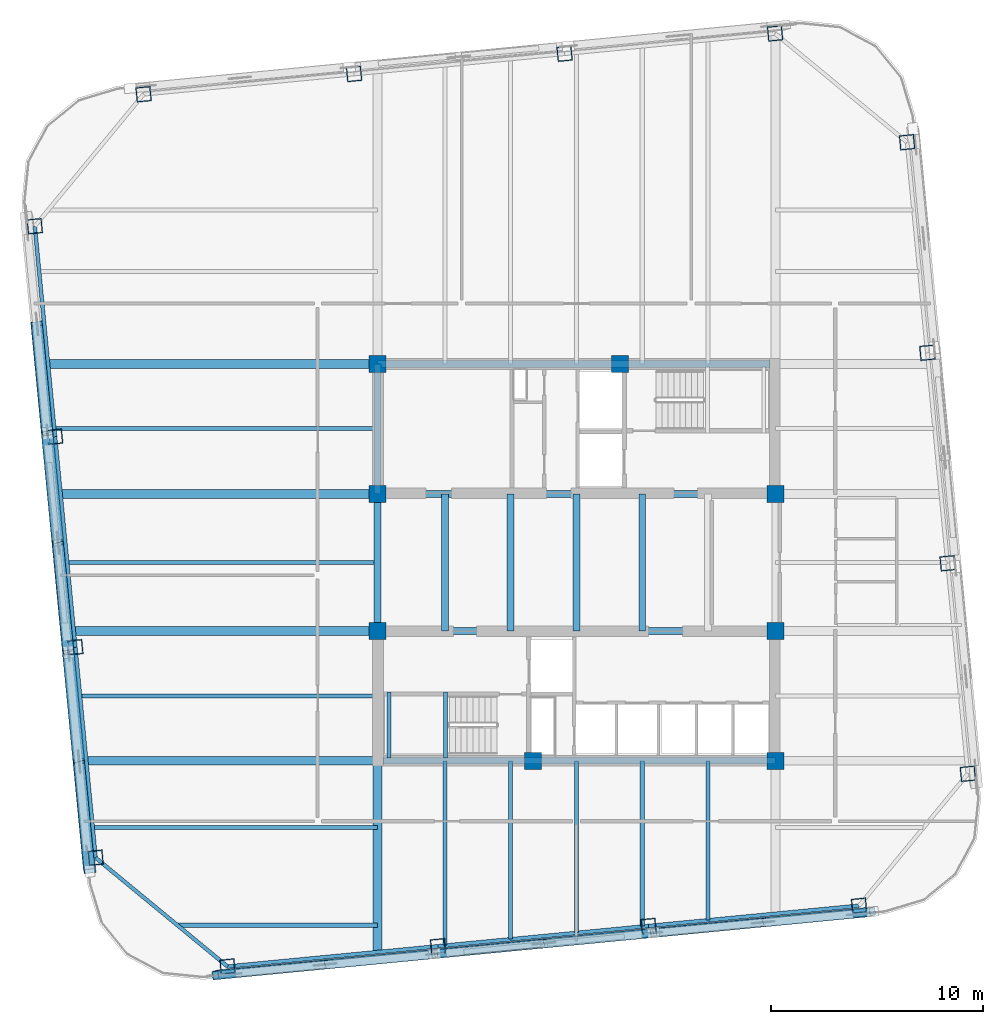
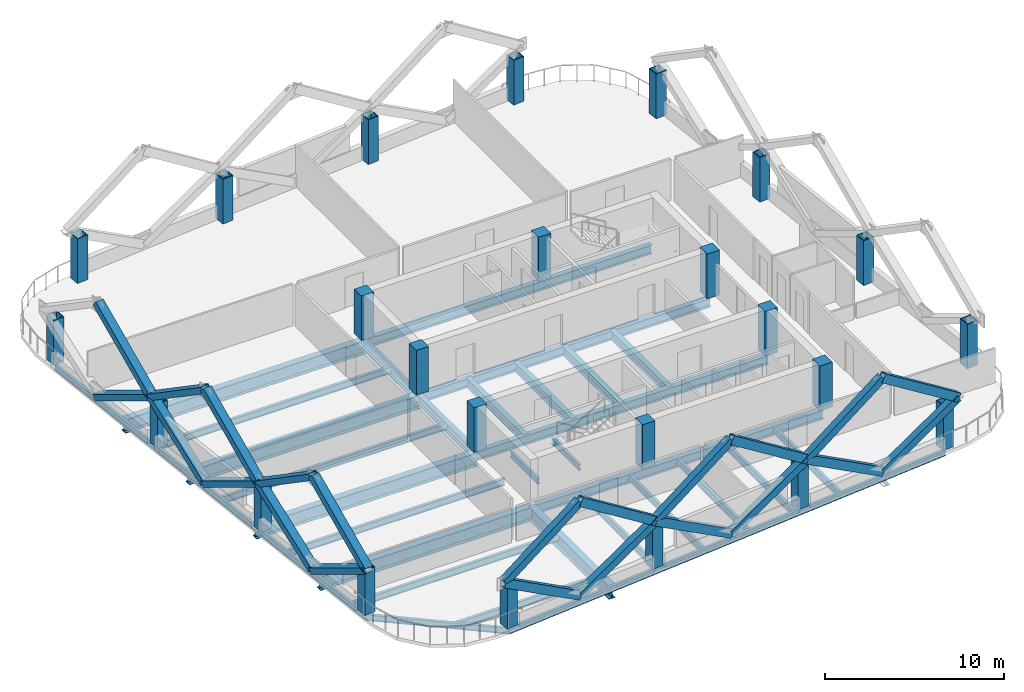
# One storey, part 1 of 9: 34 beams, 24 columns, 22 members.
"""IFC4 building model written with IfcOpenShell, lengths in metres."""

from ifc_helpers import new_model, si_unit, direction, frame, origin, origin_2d, place, context, subcontext, project, spatial, rectangle, hollow_rectangle, i_section, extrude, material, material_profile, profile_set, type_object, element, save


model = new_model("IFC4")

# Units and contexts
model_context = context("Model", 3, precision=1e-05, world=origin(), true_north=direction((0.0, 1.0)))
body_context = subcontext(model_context, "Body", "Model", "MODEL_VIEW")
ifc_project = project(units=[si_unit("LENGTHUNIT", "METRE"), si_unit("AREAUNIT", "SQUARE_METRE"), si_unit("VOLUMEUNIT", "CUBIC_METRE"), si_unit("PLANEANGLEUNIT", "RADIAN"), si_unit("MASSUNIT", "GRAM", prefix="KILO")], contexts=[model_context])

# Site, building, storey
site_placement = place(None, origin())
site = spatial("IfcSite", under=ifc_project, at=site_placement, CompositionType="ELEMENT")
building_placement = place(site_placement, origin())
building = spatial("IfcBuilding", under=site, at=building_placement, Name="Qhalaya Broadcast Tower", CompositionType="ELEMENT")
storey_placement = place(building_placement, frame((0.0, 0.0, 180.550048828125)))
storey = spatial("IfcBuildingStorey", under=building, at=storey_placement, Name="L53", CompositionType="ELEMENT", Elevation=180.550048828125)

# Columns
ifc_material_1 = material(Name="Concrete C50/60", Category="concrete")
ifc_material_profile_1 = material_profile(ifc_material_1, rectangle(XDim=0.800048828125, YDim=0.800048828125, at=origin_2d()), Name="RC-COL 800x800")
ifc_profile_set_1 = profile_set([ifc_material_profile_1], Name="Concrete C50/60")
column_type_1 = type_object("IfcColumnType", Name="RC Upper Column C10", PredefinedType="COLUMN", material=ifc_profile_set_1)
for number, where, z_axis, x_axis, name in (
    (1, (-9.375, 9.949951171875, 0.0), (0.0, 0.0, 1.0), (1.0, 0.0, 0.0), "L53 Column COL-CC1"),
    (2, (2.050048828125, 9.949951171875, 0.0), (0.0, 0.0, 1.0), (1.0, 0.0, 0.0), "L53 Column COL-CC2"),
    (3, (-9.375, 3.824951171875, 0.0), (0.0, 0.0, 1.0), (1.0, 0.0, 0.0), "L53 Column COL-CC3"),
    (4, (9.375, 3.824951171875, 0.0), (0.0, 0.0, 1.0), (1.0, 0.0, 0.0), "L53 Column COL-CC4"),
    (5, (-9.375, -2.625, 0.0), (0.0, 0.0, 1.0), (1.0, 0.0, 0.0), "L53 Column COL-CC5"),
    (6, (9.375, -2.625, 0.0), (0.0, 0.0, 1.0), (1.0, 0.0, 0.0), "L53 Column COL-CC6"),
    (7, (-2.050048828125, -8.75, 0.0), (0.0, 0.0, 1.0), (1.0, 0.0, 0.0), "L53 Column COL-CC7"),
    (8, (9.375, -8.75, 0.0), (0.0, 0.0, 1.0), (1.0, 0.0, 0.0), "L53 Column COL-CC8"),
):
    element("IfcColumn", number, at=place(storey_placement, frame(where, z_axis=z_axis, x_axis=x_axis)), inside=storey, type_object=column_type_1, Name=name, PredefinedType="COLUMN", context=body_context, shape_type="SweptSolid", body=[
        extrude(rectangle(XDim=0.800048828125, YDim=0.800048828125, at=origin_2d()), origin(), (0.0, 0.0, 1.0), 3.050048828125),
    ])
ifc_material_2 = material(Name="Structural Steel ASTM A572 Grade 50", Category="steel")
ifc_material_profile_2 = material_profile(ifc_material_2, hollow_rectangle(XDim=0.699951171875, YDim=0.699951171875, WallThickness=0.044921875, at=origin_2d()), Name="BOX 700x700x45")
ifc_profile_set_2 = profile_set([ifc_material_profile_2], Name="Structural Steel ASTM A572 Grade 50")
column_type_2 = type_object("IfcColumnType", Name="Steel Box Column C04", PredefinedType="COLUMN", material=ifc_profile_set_2)
for number, where, z_axis, x_axis, name in (
    (9, (-16.44189453125, -18.44775390625, 0.0), (0.0, 0.0, 1.0), (0.995396198367, 0.09584575252, 0.0), "L53 Column COL-EX01"),
    (10, (-6.521240234375, -17.49267578125, 0.0), (0.0, 0.0, 1.0), (0.995396198367, 0.09584575252, 0.0), "L53 Column COL-EX02"),
    (11, (3.399658203125, -16.537353515625, 0.0), (0.0, 0.0, 1.0), (0.995396198367, 0.09584575252, 0.0), "L53 Column COL-EX03"),
    (12, (13.3203125, -15.58203125, 0.0), (0.0, 0.0, 1.0), (0.995396198367, 0.09584575252, 0.0), "L53 Column COL-EX04"),
    (13, (18.44775390625, -9.362060546875, 0.0), (0.0, 0.0, 1.0), (-0.09584575252, 0.995396198367, 0.0), "L53 Column COL-EX05"),
    (14, (17.49267578125, 0.558837890625, 0.0), (0.0, 0.0, 1.0), (-0.09584575252, 0.995396198367, 0.0), "L53 Column COL-EX06"),
    (15, (16.537353515625, 10.4794921875, 0.0), (0.0, 0.0, 1.0), (-0.09584575252, 0.995396198367, 0.0), "L53 Column COL-EX07"),
    (16, (15.58203125, 20.400390625, 0.0), (0.0, 0.0, 1.0), (-0.09584575252, 0.995396198367, 0.0), "L53 Column COL-EX08"),
    (17, (9.362060546875, 25.52783203125, 0.0), (0.0, 0.0, 1.0), (0.995396198367, 0.09584575252, 0.0), "L53 Column COL-EX09"),
    (18, (-0.558837890625, 24.572509765625, 0.0), (0.0, 0.0, 1.0), (0.995396198367, 0.09584575252, 0.0), "L53 Column COL-EX10"),
    (19, (-10.4794921875, 23.6171875, 0.0), (0.0, 0.0, 1.0), (0.995396198367, 0.09584575252, 0.0), "L53 Column COL-EX11"),
    (20, (-20.400390625, 22.662109375, 0.0), (0.0, 0.0, 1.0), (0.995396198367, 0.09584575252, 0.0), "L53 Column COL-EX12"),
    (21, (-25.52783203125, 16.44189453125, 0.0), (0.0, 0.0, 1.0), (-0.09584575252, 0.995396198367, 0.0), "L53 Column COL-EX13"),
    (22, (-24.572509765625, 6.521240234375, 0.0), (0.0, 0.0, 1.0), (-0.09584575252, 0.995396198367, 0.0), "L53 Column COL-EX14"),
    (23, (-23.6171875, -3.399658203125, 0.0), (0.0, 0.0, 1.0), (-0.09584575252, 0.995396198367, 0.0), "L53 Column COL-EX15"),
    (24, (-22.662109375, -13.3203125, 0.0), (0.0, 0.0, 1.0), (-0.09584575252, 0.995396198367, 0.0), "L53 Column COL-EX16"),
):
    element("IfcColumn", number, at=place(storey_placement, frame(where, z_axis=z_axis, x_axis=x_axis)), inside=storey, type_object=column_type_2, Name=name, PredefinedType="COLUMN", context=body_context, shape_type="SweptSolid", body=[
        extrude(hollow_rectangle(XDim=0.699951171875, YDim=0.699951171875, WallThickness=0.044921875, at=origin_2d()), origin(), (0.0, 0.0, 1.0), 3.050048828125),
    ])

# Beams
ifc_material_3 = material(Name="Structural Steel ASTM A992 Grade 50", Category="steel")
ifc_material_profile_3 = material_profile(ifc_material_3, i_section(OverallWidth=0.19189453125, OverallDepth=0.462890625, WebThickness=0.010498046875, FlangeThickness=0.017578125, at=origin_2d()), Name="W18X60")
ifc_profile_set_3 = profile_set([ifc_material_profile_3], Name="Structural Steel ASTM A992 Grade 50")
beam_type_1 = type_object("IfcBeamType", Name="Composite Floor Joist J03", PredefinedType="JOIST", material=ifc_profile_set_3)
beam_1_placement = place(storey_placement, frame((-6.199951171875, -17.441650390625, -0.45166015625), z_axis=(0.0, 1.0, 0.0), x_axis=(-1.0, 0.0, 0.0)))
element("IfcBeam", 25, at=beam_1_placement, inside=storey, type_object=beam_type_1, Name="L53 J03 L53-JNS1-1", PredefinedType="JOIST", context=body_context, shape_type="SweptSolid", body=[
    extrude(i_section(OverallWidth=0.19189453125, OverallDepth=0.462890625, WebThickness=0.010498046875, FlangeThickness=0.017578125, at=origin_2d()), origin(), (0.0, 0.0, 1.0), 8.691650390625),
])
beam_2_placement = place(storey_placement, frame((-3.10009765625, -17.14306640625, -0.45166015625), z_axis=(0.0, 1.0, 0.0), x_axis=(-1.0, 0.0, 0.0)))
element("IfcBeam", 26, at=beam_2_placement, inside=storey, type_object=beam_type_1, Name="L53 J03 L53-JNS2-1", PredefinedType="JOIST", context=body_context, shape_type="SweptSolid", body=[
    extrude(i_section(OverallWidth=0.19189453125, OverallDepth=0.462890625, WebThickness=0.010498046875, FlangeThickness=0.017578125, at=origin_2d()), origin(), (0.0, 0.0, 1.0), 8.39306640625),
])
beam_3_placement = place(storey_placement, frame((0.0, -16.844482421875, -0.45166015625), z_axis=(0.0, 1.0, 0.0), x_axis=(-1.0, 0.0, 0.0)))
element("IfcBeam", 27, at=beam_3_placement, inside=storey, type_object=beam_type_1, Name="L53 J03 L53-JNS3-1", PredefinedType="JOIST", context=body_context, shape_type="SweptSolid", body=[
    extrude(i_section(OverallWidth=0.19189453125, OverallDepth=0.462890625, WebThickness=0.010498046875, FlangeThickness=0.017578125, at=origin_2d()), origin(), (0.0, 0.0, 1.0), 8.094482421875),
])
beam_4_placement = place(storey_placement, frame((3.10009765625, -16.546142578125, -0.45166015625), z_axis=(0.0, 1.0, 0.0), x_axis=(-1.0, 0.0, 0.0)))
element("IfcBeam", 28, at=beam_4_placement, inside=storey, type_object=beam_type_1, Name="L53 J03 L53-JNS4-1", PredefinedType="JOIST", context=body_context, shape_type="SweptSolid", body=[
    extrude(i_section(OverallWidth=0.19189453125, OverallDepth=0.462890625, WebThickness=0.010498046875, FlangeThickness=0.017578125, at=origin_2d()), origin(), (0.0, 0.0, 1.0), 7.796142578125),
])
beam_5_placement = place(storey_placement, frame((6.199951171875, -16.24755859375, -0.45166015625), z_axis=(0.0, 1.0, 0.0), x_axis=(-1.0, 0.0, 0.0)))
element("IfcBeam", 29, at=beam_5_placement, inside=storey, type_object=beam_type_1, Name="L53 J03 L53-JNS5-1", PredefinedType="JOIST", context=body_context, shape_type="SweptSolid", body=[
    extrude(i_section(OverallWidth=0.19189453125, OverallDepth=0.462890625, WebThickness=0.010498046875, FlangeThickness=0.017578125, at=origin_2d()), origin(), (0.0, 0.0, 1.0), 7.49755859375),
])
beam_6_placement = place(storey_placement, frame((-18.7734375, -16.5, -0.45166015625), z_axis=(1.0, 0.0, 0.0), x_axis=(0.0, 1.0, 0.0)))
element("IfcBeam", 30, at=beam_6_placement, inside=storey, type_object=beam_type_1, Name="L53 J03 L53-JWE1W-1", PredefinedType="JOIST", context=body_context, shape_type="SweptSolid", body=[
    extrude(i_section(OverallWidth=0.19189453125, OverallDepth=0.462890625, WebThickness=0.010498046875, FlangeThickness=0.017578125, at=origin_2d()), origin(), (0.0, 0.0, 1.0), 9.3984375),
])
beam_7_placement = place(storey_placement, frame((-22.77880859375, -11.89990234375, -0.45166015625), z_axis=(1.0, 0.0, 0.0), x_axis=(0.0, 1.0, 0.0)))
element("IfcBeam", 31, at=beam_7_placement, inside=storey, type_object=beam_type_1, Name="L53 J03 L53-JWE2W-1", PredefinedType="JOIST", context=body_context, shape_type="SweptSolid", body=[
    extrude(i_section(OverallWidth=0.19189453125, OverallDepth=0.462890625, WebThickness=0.010498046875, FlangeThickness=0.017578125, at=origin_2d()), origin(), (0.0, 0.0, 1.0), 13.40380859375),
])
beam_8_placement = place(storey_placement, frame((-23.375732421875, -5.699951171875, -0.45166015625), z_axis=(1.0, 0.0, 0.0), x_axis=(0.0, 1.0, 0.0)))
element("IfcBeam", 32, at=beam_8_placement, inside=storey, type_object=beam_type_1, Name="L53 J03 L53-JWE3W-1", PredefinedType="JOIST", context=body_context, shape_type="SweptSolid", body=[
    extrude(i_section(OverallWidth=0.19189453125, OverallDepth=0.462890625, WebThickness=0.010498046875, FlangeThickness=0.017578125, at=origin_2d()), origin(), (0.0, 0.0, 1.0), 14.000732421875),
])
beam_9_placement = place(storey_placement, frame((-23.982421875, 0.60009765625, -0.45166015625), z_axis=(1.0, 0.0, 0.0), x_axis=(0.0, 1.0, 0.0)))
element("IfcBeam", 33, at=beam_9_placement, inside=storey, type_object=beam_type_1, Name="L53 J03 L53-JWE4W-1", PredefinedType="JOIST", context=body_context, shape_type="SweptSolid", body=[
    extrude(i_section(OverallWidth=0.19189453125, OverallDepth=0.462890625, WebThickness=0.010498046875, FlangeThickness=0.017578125, at=origin_2d()), origin(), (0.0, 0.0, 1.0), 14.607421875),
])
beam_10_placement = place(storey_placement, frame((-24.589111328125, 6.89990234375, -0.45166015625), z_axis=(1.0, 0.0, 0.0), x_axis=(0.0, 1.0, 0.0)))
element("IfcBeam", 34, at=beam_10_placement, inside=storey, type_object=beam_type_1, Name="L53 J03 L53-JWE5W-1", PredefinedType="JOIST", context=body_context, shape_type="SweptSolid", body=[
    extrude(i_section(OverallWidth=0.19189453125, OverallDepth=0.462890625, WebThickness=0.010498046875, FlangeThickness=0.017578125, at=origin_2d()), origin(), (0.0, 0.0, 1.0), 15.214111328125),
])
ifc_material_profile_4 = material_profile(ifc_material_3, i_section(OverallWidth=0.323974609375, OverallDepth=0.612060546875, WebThickness=0.0126953125, FlangeThickness=0.01904296875, at=origin_2d()), Name="W24X104")
ifc_profile_set_4 = profile_set([ifc_material_profile_4], Name="Structural Steel ASTM A992 Grade 50")
beam_type_2 = type_object("IfcBeamType", Name="Core Frame Tie Beam B04", PredefinedType="BEAM", material=ifc_profile_set_4)
beam_11_placement = place(storey_placement, frame((-9.375, 3.824951171875, -0.526123046875), z_axis=(1.0, 0.0, 0.0), x_axis=(0.0, 1.0, 0.0)))
element("IfcBeam", 35, at=beam_11_placement, inside=storey, type_object=beam_type_2, Name="L53 B04 L53-CCN1", PredefinedType="BEAM", context=body_context, shape_type="SweptSolid", body=[
    extrude(i_section(OverallWidth=0.323974609375, OverallDepth=0.612060546875, WebThickness=0.0126953125, FlangeThickness=0.01904296875, at=origin_2d()), origin(), (0.0, 0.0, 1.0), 18.75),
])
beam_12_placement = place(storey_placement, frame((-9.375, 3.824951171875, -0.526123046875), z_axis=(0.0, 1.0, 0.0), x_axis=(-1.0, 0.0, 0.0)))
element("IfcBeam", 36, at=beam_12_placement, inside=storey, type_object=beam_type_2, Name="L53 B04 L53-CCN2", PredefinedType="BEAM", context=body_context, shape_type="SweptSolid", body=[
    extrude(i_section(OverallWidth=0.323974609375, OverallDepth=0.612060546875, WebThickness=0.0126953125, FlangeThickness=0.01904296875, at=origin_2d()), origin(), (0.0, 0.0, 1.0), 6.125),
])
beam_13_placement = place(storey_placement, frame((-9.375, 9.949951171875, -0.526123046875), z_axis=(1.0, 0.0, 0.0), x_axis=(0.0, 1.0, 0.0)))
element("IfcBeam", 37, at=beam_13_placement, inside=storey, type_object=beam_type_2, Name="L53 B04 L53-CCN3", PredefinedType="BEAM", context=body_context, shape_type="SweptSolid", body=[
    extrude(i_section(OverallWidth=0.323974609375, OverallDepth=0.612060546875, WebThickness=0.0126953125, FlangeThickness=0.01904296875, at=origin_2d()), origin(), (0.0, 0.0, 1.0), 18.4951171875),
])
beam_14_placement = place(storey_placement, frame((-9.375, -2.625, -0.526123046875), z_axis=(1.0, 0.0, 0.0), x_axis=(0.0, 1.0, 0.0)))
element("IfcBeam", 38, at=beam_14_placement, inside=storey, type_object=beam_type_2, Name="L53 B04 L53-CCS1", PredefinedType="BEAM", context=body_context, shape_type="SweptSolid", body=[
    extrude(i_section(OverallWidth=0.323974609375, OverallDepth=0.612060546875, WebThickness=0.0126953125, FlangeThickness=0.01904296875, at=origin_2d()), origin(), (0.0, 0.0, 1.0), 18.75),
])
beam_15_placement = place(storey_placement, frame((-9.1201171875, -8.75, -0.526123046875), z_axis=(1.0, 0.0, 0.0), x_axis=(0.0, 1.0, 0.0)))
element("IfcBeam", 39, at=beam_15_placement, inside=storey, type_object=beam_type_2, Name="L53 B04 L53-CCS3", PredefinedType="BEAM", context=body_context, shape_type="SweptSolid", body=[
    extrude(i_section(OverallWidth=0.323974609375, OverallDepth=0.612060546875, WebThickness=0.0126953125, FlangeThickness=0.01904296875, at=origin_2d()), origin(), (0.0, 0.0, 1.0), 18.4951171875),
])
for number, where, z_axis, x_axis, name in (
    (40, (-9.375, -2.625, -0.526123046875), (0.0, 1.0, 0.0), (-1.0, 0.0, 0.0), "L53 B04 L53-CCW"),
    (41, (-6.199951171875, -2.625, -0.526123046875), (0.0, 1.0, 0.0), (-1.0, 0.0, 0.0), "L53 B04 L53-JC1-1"),
    (42, (-3.10009765625, -2.625, -0.526123046875), (0.0, 1.0, 0.0), (-1.0, 0.0, 0.0), "L53 B04 L53-JC2-1"),
    (43, (0.0, -2.625, -0.526123046875), (0.0, 1.0, 0.0), (-1.0, 0.0, 0.0), "L53 B04 L53-JC3-1"),
    (44, (3.10009765625, -2.625, -0.526123046875), (0.0, 1.0, 0.0), (-1.0, 0.0, 0.0), "L53 B04 L53-JC4-1"),
):
    element("IfcBeam", number, at=place(storey_placement, frame(where, z_axis=z_axis, x_axis=x_axis)), inside=storey, type_object=beam_type_2, Name=name, PredefinedType="BEAM", context=body_context, shape_type="SweptSolid", body=[
        extrude(i_section(OverallWidth=0.323974609375, OverallDepth=0.612060546875, WebThickness=0.0126953125, FlangeThickness=0.01904296875, at=origin_2d()), origin(), (0.0, 0.0, 1.0), 6.449951171875),
    ])

# Members
ifc_material_profile_5 = material_profile(ifc_material_2, hollow_rectangle(XDim=0.39990234375, YDim=0.550048828125, WallThickness=0.02490234375, at=origin_2d()), Name="BOX 400x550x25")
ifc_profile_set_5 = profile_set([ifc_material_profile_5], Name="Structural Steel ASTM A572 Grade 50")
member_type = type_object("IfcMemberType", Name="Exoskeleton Diamond Diagonal Mid-High EX3", PredefinedType="BRACE", material=ifc_profile_set_5)
for number, where, z_axis, x_axis, name in (
    (45, (-11.84716796875, -18.346923828125, 0.35986328125), (-0.865084240303, -0.08330319543, 0.494661333451), (0.142603126534, -0.986268604768, 0.083298184569), "B4 Exoskeleton Diamond Brace S1-D1"),
    (46, (-11.84716796875, -18.346923828125, 0.35986328125), (0.865084240303, 0.08330319543, 0.494661333451), (-0.142603126534, 0.986268604768, 0.083298184569), "B4 Exoskeleton Diamond Brace S1-D2"),
):
    element("IfcMember", number, at=place(storey_placement, frame(where, z_axis=z_axis, x_axis=x_axis)), inside=storey, type_object=member_type, Name=name, PredefinedType="BRACE", context=body_context, shape_type="SweptSolid", body=[
        extrude(hollow_rectangle(XDim=0.39990234375, YDim=0.550048828125, WallThickness=0.02490234375, at=origin_2d()), origin(), (0.0, 0.0, 1.0), 5.964111328125),
    ])
for number, where, z_axis, x_axis, name in (
    (47, (-17.006591796875, -18.84375, 3.31005859375), (0.830106225405, 0.079934991184, 0.551846039877), (-0.148058801683, 0.985743251106, 0.079930182929), "B4 Exoskeleton Diamond Brace S1-D3"),
    (48, (-6.687744140625, -17.85009765625, 3.31005859375), (-0.830106225405, -0.079934991184, 0.551846039877), (0.148058801683, -0.985743251106, 0.079930182929), "B4 Exoskeleton Diamond Brace S1-D4"),
):
    element("IfcMember", number, at=place(storey_placement, frame(where, z_axis=z_axis, x_axis=x_axis)), inside=storey, type_object=member_type, Name=name, PredefinedType="BRACE", context=body_context, shape_type="SweptSolid", body=[
        extrude(hollow_rectangle(XDim=0.39990234375, YDim=0.550048828125, WallThickness=0.02490234375, at=origin_2d()), origin(), (0.0, 0.0, 1.0), 6.21533203125),
    ])
member_1_placement = place(storey_placement, frame((-1.5283203125, -17.353515625, 0.35986328125), z_axis=(-0.865087189561, -0.083262544057, 0.494663019858), x_axis=(0.14255704624, -0.98627527412, 0.083298092571)))
element("IfcMember", 49, at=member_1_placement, inside=storey, type_object=member_type, Name="B4 Exoskeleton Diamond Brace S2-D1", PredefinedType="BRACE", context=body_context, shape_type="SweptSolid", body=[
    extrude(hollow_rectangle(XDim=0.39990234375, YDim=0.550048828125, WallThickness=0.02490234375, at=origin_2d()), origin(), (0.0, 0.0, 1.0), 5.964111328125),
])
member_2_placement = place(storey_placement, frame((-1.5283203125, -17.353515625, 0.35986328125), z_axis=(0.865094540257, 0.083300245549, 0.49464381681), x_axis=(-0.14259700282, 0.986269409462, 0.083299140131)))
element("IfcMember", 50, at=member_2_placement, inside=storey, type_object=member_type, Name="B4 Exoskeleton Diamond Brace S2-D2", PredefinedType="BRACE", context=body_context, shape_type="SweptSolid", body=[
    extrude(hollow_rectangle(XDim=0.39990234375, YDim=0.550048828125, WallThickness=0.02490234375, at=origin_2d()), origin(), (0.0, 0.0, 1.0), 5.96435546875),
])
member_3_placement = place(storey_placement, frame((-6.687744140625, -17.85009765625, 3.31005859375), z_axis=(0.830108831189, 0.079895961891, 0.551847772175), x_axis=(-0.148012750392, 0.985750175827, 0.079930073059)))
element("IfcMember", 51, at=member_3_placement, inside=storey, type_object=member_type, Name="B4 Exoskeleton Diamond Brace S2-D3", PredefinedType="BRACE", context=body_context, shape_type="SweptSolid", body=[
    extrude(hollow_rectangle(XDim=0.39990234375, YDim=0.550048828125, WallThickness=0.02490234375, at=origin_2d()), origin(), (0.0, 0.0, 1.0), 6.21533203125),
])
member_4_placement = place(storey_placement, frame((3.63134765625, -16.856689453125, 3.31005859375), z_axis=(-0.830118437918, -0.079932384838, 0.55182804648), x_axis=(0.148052634856, -0.98574408481, 0.079931324113)))
element("IfcMember", 52, at=member_4_placement, inside=storey, type_object=member_type, Name="B4 Exoskeleton Diamond Brace S2-D4", PredefinedType="BRACE", context=body_context, shape_type="SweptSolid", body=[
    extrude(hollow_rectangle(XDim=0.39990234375, YDim=0.550048828125, WallThickness=0.02490234375, at=origin_2d()), origin(), (0.0, 0.0, 1.0), 6.215576171875),
])
for number, where, z_axis, x_axis, name in (
    (53, (8.790771484375, -16.35986328125, 0.35986328125), (-0.865084240303, -0.08330319543, 0.494661333451), (0.142603126534, -0.986268604768, 0.083298184569), "B4 Exoskeleton Diamond Brace S3-D1"),
    (54, (8.790771484375, -16.35986328125, 0.35986328125), (0.865084240303, 0.08330319543, 0.494661333451), (-0.142603126534, 0.986268604768, 0.083298184569), "B4 Exoskeleton Diamond Brace S3-D2"),
):
    element("IfcMember", number, at=place(storey_placement, frame(where, z_axis=z_axis, x_axis=x_axis)), inside=storey, type_object=member_type, Name=name, PredefinedType="BRACE", context=body_context, shape_type="SweptSolid", body=[
        extrude(hollow_rectangle(XDim=0.39990234375, YDim=0.550048828125, WallThickness=0.02490234375, at=origin_2d()), origin(), (0.0, 0.0, 1.0), 5.964111328125),
    ])
for number, where, z_axis, x_axis, name in (
    (55, (3.63134765625, -16.856689453125, 3.31005859375), (0.830106225405, 0.079934991184, 0.551846039877), (-0.148058801683, 0.985743251106, 0.079930182929), "B4 Exoskeleton Diamond Brace S3-D3"),
    (56, (13.9501953125, -15.863037109375, 3.31005859375), (-0.830106225405, -0.079934991184, 0.551846039877), (0.148058801683, -0.985743251106, 0.079930182929), "B4 Exoskeleton Diamond Brace S3-D4"),
):
    element("IfcMember", number, at=place(storey_placement, frame(where, z_axis=z_axis, x_axis=x_axis)), inside=storey, type_object=member_type, Name=name, PredefinedType="BRACE", context=body_context, shape_type="SweptSolid", body=[
        extrude(hollow_rectangle(XDim=0.39990234375, YDim=0.550048828125, WallThickness=0.02490234375, at=origin_2d()), origin(), (0.0, 0.0, 1.0), 6.21533203125),
    ])
member_5_placement = place(storey_placement, frame((-25.427001953125, 11.84716796875, 0.35986328125), z_axis=(0.08330319543, -0.865084240303, 0.494661333451), x_axis=(-0.142600199442, 0.480929938227, 0.865084722808)))
element("IfcMember", 57, at=member_5_placement, inside=storey, type_object=member_type, Name="B4 Exoskeleton Diamond Brace W1-D2", PredefinedType="BRACE", context=body_context, shape_type="SweptSolid", body=[
    extrude(hollow_rectangle(XDim=0.39990234375, YDim=0.550048828125, WallThickness=0.02490234375, at=origin_2d()), origin(), (0.0, 0.0, 1.0), 5.964111328125),
])
member_6_placement = place(storey_placement, frame((-24.93017578125, 6.687744140625, 3.31005859375), z_axis=(-0.079934991184, 0.830106225405, 0.551846039877), x_axis=(0.148056205824, -0.537589290991, 0.830106688402)))
element("IfcMember", 58, at=member_6_placement, inside=storey, type_object=member_type, Name="B4 Exoskeleton Diamond Brace W1-D4", PredefinedType="BRACE", context=body_context, shape_type="SweptSolid", body=[
    extrude(hollow_rectangle(XDim=0.39990234375, YDim=0.550048828125, WallThickness=0.02490234375, at=origin_2d()), origin(), (0.0, 0.0, 1.0), 6.21533203125),
])
member_7_placement = place(storey_placement, frame((-24.433349609375, 1.5283203125, 0.35986328125), z_axis=(-0.08330319543, 0.865084240303, 0.494661333451), x_axis=(0.142600199442, -0.480929938227, 0.865084722808)))
element("IfcMember", 59, at=member_7_placement, inside=storey, type_object=member_type, Name="B4 Exoskeleton Diamond Brace W2-D1", PredefinedType="BRACE", context=body_context, shape_type="SweptSolid", body=[
    extrude(hollow_rectangle(XDim=0.39990234375, YDim=0.550048828125, WallThickness=0.02490234375, at=origin_2d()), origin(), (0.0, 0.0, 1.0), 5.964111328125),
])
member_8_placement = place(storey_placement, frame((-24.433349609375, 1.5283203125, 0.35986328125), z_axis=(0.083300245549, -0.865094540257, 0.49464381681), x_axis=(-0.142596357076, 0.480913226272, 0.865094646698)))
element("IfcMember", 60, at=member_8_placement, inside=storey, type_object=member_type, Name="B4 Exoskeleton Diamond Brace W2-D2", PredefinedType="BRACE", context=body_context, shape_type="SweptSolid", body=[
    extrude(hollow_rectangle(XDim=0.39990234375, YDim=0.550048828125, WallThickness=0.02490234375, at=origin_2d()), origin(), (0.0, 0.0, 1.0), 5.96435546875),
])
member_9_placement = place(storey_placement, frame((-24.93017578125, 6.687744140625, 3.31005859375), z_axis=(0.079934991184, -0.830106225405, 0.551846039877), x_axis=(-0.148056205824, 0.537589290991, 0.830106688402)))
element("IfcMember", 61, at=member_9_placement, inside=storey, type_object=member_type, Name="B4 Exoskeleton Diamond Brace W2-D3", PredefinedType="BRACE", context=body_context, shape_type="SweptSolid", body=[
    extrude(hollow_rectangle(XDim=0.39990234375, YDim=0.550048828125, WallThickness=0.02490234375, at=origin_2d()), origin(), (0.0, 0.0, 1.0), 6.21533203125),
])
member_10_placement = place(storey_placement, frame((-23.9365234375, -3.63134765625, 3.31005859375), z_axis=(-0.079932384838, 0.830118437918, 0.55182804648), x_axis=(0.148052062182, -0.537572131291, 0.830118540055)))
element("IfcMember", 62, at=member_10_placement, inside=storey, type_object=member_type, Name="B4 Exoskeleton Diamond Brace W2-D4", PredefinedType="BRACE", context=body_context, shape_type="SweptSolid", body=[
    extrude(hollow_rectangle(XDim=0.39990234375, YDim=0.550048828125, WallThickness=0.02490234375, at=origin_2d()), origin(), (0.0, 0.0, 1.0), 6.215576171875),
])
for number, where, z_axis, x_axis, name in (
    (63, (-23.439697265625, -8.790771484375, 0.35986328125), (-0.08330319543, 0.865084240303, 0.494661333451), (0.142600199442, -0.480929938227, 0.865084722808), "B4 Exoskeleton Diamond Brace W3-D1"),
    (64, (-23.439697265625, -8.790771484375, 0.35986328125), (0.083262544057, -0.865087189561, 0.494663019858), (-0.142577811793, 0.480938294405, 0.865083767366), "B4 Exoskeleton Diamond Brace W3-D2"),
):
    element("IfcMember", number, at=place(storey_placement, frame(where, z_axis=z_axis, x_axis=x_axis)), inside=storey, type_object=member_type, Name=name, PredefinedType="BRACE", context=body_context, shape_type="SweptSolid", body=[
        extrude(hollow_rectangle(XDim=0.39990234375, YDim=0.550048828125, WallThickness=0.02490234375, at=origin_2d()), origin(), (0.0, 0.0, 1.0), 5.964111328125),
    ])
for number, where, z_axis, x_axis, name in (
    (65, (-23.9365234375, -3.63134765625, 3.31005859375), (0.079934991184, -0.830106225405, 0.551846039877), (-0.148056205824, 0.537589290991, 0.830106688402), "B4 Exoskeleton Diamond Brace W3-D3"),
    (66, (-22.943115234375, -13.9501953125, 3.31005859375), (-0.079895961891, 0.830108831189, 0.551847772175), (0.148031166082, -0.53759794838, 0.830105547365), "B4 Exoskeleton Diamond Brace W3-D4"),
):
    element("IfcMember", number, at=place(storey_placement, frame(where, z_axis=z_axis, x_axis=x_axis)), inside=storey, type_object=member_type, Name=name, PredefinedType="BRACE", context=body_context, shape_type="SweptSolid", body=[
        extrude(hollow_rectangle(XDim=0.39990234375, YDim=0.550048828125, WallThickness=0.02490234375, at=origin_2d()), origin(), (0.0, 0.0, 1.0), 6.21533203125),
    ])

# Beams
ifc_material_profile_6 = material_profile(ifc_material_3, i_section(OverallWidth=0.4189453125, OverallDepth=0.927001953125, WebThickness=0.019287109375, FlangeThickness=0.031982421875, at=origin_2d()), Name="W36X231")
ifc_profile_set_6 = profile_set([ifc_material_profile_6], Name="Structural Steel ASTM A992 Grade 50")
beam_type_3 = type_object("IfcBeamType", Name="Mid Block Primary Girder PG3", PredefinedType="USERDEFINED", material=ifc_profile_set_6)
beam_16_placement = place(storey_placement, frame((-9.375, -17.747314453125, -0.68359375), z_axis=(0.0, 1.0, 0.0), x_axis=(-1.0, 0.0, 0.0)))
element("IfcBeam", 67, at=beam_16_placement, inside=storey, type_object=beam_type_3, Name="L53 PG3 L53-PGXS1-1", ObjectType="GIRDER", PredefinedType="USERDEFINED", context=body_context, shape_type="SweptSolid", body=[
    extrude(i_section(OverallWidth=0.4189453125, OverallDepth=0.927001953125, WebThickness=0.019287109375, FlangeThickness=0.031982421875, at=origin_2d()), origin(), (0.0, 0.0, 1.0), 8.997314453125),
])
beam_17_placement = place(storey_placement, frame((-23.08203125, -8.75, -0.68359375), z_axis=(1.0, 0.0, 0.0), x_axis=(0.0, 1.0, 0.0)))
element("IfcBeam", 68, at=beam_17_placement, inside=storey, type_object=beam_type_3, Name="L53 PG3 L53-PGYW1-1", ObjectType="GIRDER", PredefinedType="USERDEFINED", context=body_context, shape_type="SweptSolid", body=[
    extrude(i_section(OverallWidth=0.4189453125, OverallDepth=0.927001953125, WebThickness=0.019287109375, FlangeThickness=0.031982421875, at=origin_2d()), origin(), (0.0, 0.0, 1.0), 13.70703125),
])
beam_18_placement = place(storey_placement, frame((-23.671875, -2.625, -0.68359375), z_axis=(1.0, 0.0, 0.0), x_axis=(0.0, 1.0, 0.0)))
element("IfcBeam", 69, at=beam_18_placement, inside=storey, type_object=beam_type_3, Name="L53 PG3 L53-PGYW2-1", ObjectType="GIRDER", PredefinedType="USERDEFINED", context=body_context, shape_type="SweptSolid", body=[
    extrude(i_section(OverallWidth=0.4189453125, OverallDepth=0.927001953125, WebThickness=0.019287109375, FlangeThickness=0.031982421875, at=origin_2d()), origin(), (0.0, 0.0, 1.0), 14.296875),
])
beam_19_placement = place(storey_placement, frame((-24.29296875, 3.824951171875, -0.68359375), z_axis=(1.0, 0.0, 0.0), x_axis=(0.0, 1.0, 0.0)))
element("IfcBeam", 70, at=beam_19_placement, inside=storey, type_object=beam_type_3, Name="L53 PG3 L53-PGYW3-1", ObjectType="GIRDER", PredefinedType="USERDEFINED", context=body_context, shape_type="SweptSolid", body=[
    extrude(i_section(OverallWidth=0.4189453125, OverallDepth=0.927001953125, WebThickness=0.019287109375, FlangeThickness=0.031982421875, at=origin_2d()), origin(), (0.0, 0.0, 1.0), 14.91796875),
])
beam_20_placement = place(storey_placement, frame((-24.882568359375, 9.949951171875, -0.68359375), z_axis=(1.0, 0.0, 0.0), x_axis=(0.0, 1.0, 0.0)))
element("IfcBeam", 71, at=beam_20_placement, inside=storey, type_object=beam_type_3, Name="L53 PG3 L53-PGYW4-1", ObjectType="GIRDER", PredefinedType="USERDEFINED", context=body_context, shape_type="SweptSolid", body=[
    extrude(i_section(OverallWidth=0.4189453125, OverallDepth=0.927001953125, WebThickness=0.019287109375, FlangeThickness=0.031982421875, at=origin_2d()), origin(), (0.0, 0.0, 1.0), 15.507568359375),
])
ifc_material_profile_7 = material_profile(ifc_material_3, i_section(OverallWidth=0.177978515625, OverallDepth=0.406005859375, WebThickness=0.0078125, FlangeThickness=0.0126953125, at=origin_2d()), Name="W16X40")
ifc_profile_set_7 = profile_set([ifc_material_profile_7], Name="Structural Steel ASTM A992 Grade 50")
beam_type_4 = type_object("IfcBeamType", Name="Upper Perimeter Spandrel Beam SP2", PredefinedType="SPANDREL", material=ifc_profile_set_7)
beam_21_placement = place(storey_placement, frame((-16.44189453125, -18.44775390625, -0.423095703125), z_axis=(0.995397846936, 0.09582862993, 0.0), x_axis=(-0.09582862993, 0.995397846936, 0.0)))
element("IfcBeam", 72, at=beam_21_placement, inside=storey, type_object=beam_type_4, Name="L53 SP2 L53-SPR-01", PredefinedType="SPANDREL", context=body_context, shape_type="SweptSolid", body=[
    extrude(i_section(OverallWidth=0.177978515625, OverallDepth=0.406005859375, WebThickness=0.0078125, FlangeThickness=0.0126953125, at=origin_2d()), origin(), (0.0, 0.0, 1.0), 9.966552734375),
])
beam_22_placement = place(storey_placement, frame((-6.521240234375, -17.49267578125, -0.423095703125), z_axis=(0.99539573508, 0.095850563819, 0.0), x_axis=(-0.095850563819, 0.99539573508, 0.0)))
element("IfcBeam", 73, at=beam_22_placement, inside=storey, type_object=beam_type_4, Name="L53 SP2 L53-SPR-02", PredefinedType="SPANDREL", context=body_context, shape_type="SweptSolid", body=[
    extrude(i_section(OverallWidth=0.177978515625, OverallDepth=0.406005859375, WebThickness=0.0078125, FlangeThickness=0.0126953125, at=origin_2d()), origin(), (0.0, 0.0, 1.0), 9.966796875),
])
for number, where, z_axis, x_axis, name in (
    (74, (3.399658203125, -16.537353515625, -0.423095703125), (0.995395510024, 0.095852900965, 0.0), (-0.095852900965, 0.995395510024, 0.0), "L53 SP2 L53-SPR-03"),
    (75, (-25.52783203125, 16.44189453125, -0.423095703125), (0.095852900965, -0.995395510024, 0.0), (0.995395510024, 0.095852900965, 0.0), "L53 SP2 L53-SPR-13"),
):
    element("IfcBeam", number, at=place(storey_placement, frame(where, z_axis=z_axis, x_axis=x_axis)), inside=storey, type_object=beam_type_4, Name=name, PredefinedType="SPANDREL", context=body_context, shape_type="SweptSolid", body=[
        extrude(i_section(OverallWidth=0.177978515625, OverallDepth=0.406005859375, WebThickness=0.0078125, FlangeThickness=0.0126953125, at=origin_2d()), origin(), (0.0, 0.0, 1.0), 9.966552734375),
    ])
beam_23_placement = place(storey_placement, frame((-24.572509765625, 6.521240234375, -0.423095703125), z_axis=(0.095850563819, -0.99539573508, 0.0), x_axis=(0.99539573508, 0.095850563819, 0.0)))
element("IfcBeam", 76, at=beam_23_placement, inside=storey, type_object=beam_type_4, Name="L53 SP2 L53-SPR-14", PredefinedType="SPANDREL", context=body_context, shape_type="SweptSolid", body=[
    extrude(i_section(OverallWidth=0.177978515625, OverallDepth=0.406005859375, WebThickness=0.0078125, FlangeThickness=0.0126953125, at=origin_2d()), origin(), (0.0, 0.0, 1.0), 9.966796875),
])
beam_24_placement = place(storey_placement, frame((-23.6171875, -3.399658203125, -0.423095703125), z_axis=(0.09582862993, -0.995397846936, 0.0), x_axis=(0.995397846936, 0.09582862993, 0.0)))
element("IfcBeam", 77, at=beam_24_placement, inside=storey, type_object=beam_type_4, Name="L53 SP2 L53-SPR-15", PredefinedType="SPANDREL", context=body_context, shape_type="SweptSolid", body=[
    extrude(i_section(OverallWidth=0.177978515625, OverallDepth=0.406005859375, WebThickness=0.0078125, FlangeThickness=0.0126953125, at=origin_2d()), origin(), (0.0, 0.0, 1.0), 9.966552734375),
])
beam_25_placement = place(storey_placement, frame((-22.662109375, -13.3203125, -0.423095703125), z_axis=(0.771631160126, -0.636070241972, 0.0), x_axis=(0.636070241972, 0.771631160126, 0.0)))
element("IfcBeam", 78, at=beam_25_placement, inside=storey, type_object=beam_type_4, Name="L53 SP2 L53-SPR-16", PredefinedType="SPANDREL", context=body_context, shape_type="SweptSolid", body=[
    extrude(i_section(OverallWidth=0.177978515625, OverallDepth=0.406005859375, WebThickness=0.0078125, FlangeThickness=0.0126953125, at=origin_2d()), origin(), (0.0, 0.0, 1.0), 8.06103515625),
])
for number, where, z_axis, x_axis, name in (
    (79, (-8.830078125, -8.6201171875, 1.1220703125), (0.0, 1.0, 0.0), (-1.0, 0.0, 0.0), "L53 ST-2 Half-Landing Bearer Beam 1"),
    (80, (-6.175048828125, -8.6201171875, 1.1220703125), (0.0, 1.0, 0.0), (-1.0, 0.0, 0.0), "L53 ST-2 Half-Landing Bearer Beam 2"),
):
    element("IfcBeam", number, at=place(storey_placement, frame(where, z_axis=z_axis, x_axis=x_axis)), inside=storey, type_object=beam_type_4, Name=name, PredefinedType="SPANDREL", context=body_context, shape_type="SweptSolid", body=[
        extrude(i_section(OverallWidth=0.177978515625, OverallDepth=0.406005859375, WebThickness=0.0078125, FlangeThickness=0.0126953125, at=origin_2d()), origin(), (0.0, 0.0, 1.0), 3.1201171875),
    ])

save(model, "model.ifc")
